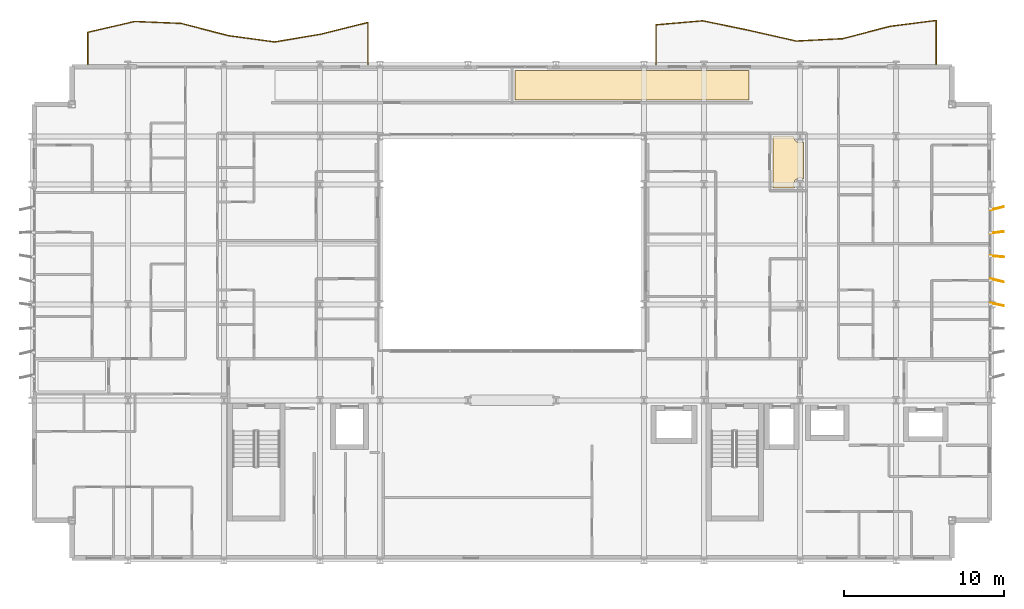
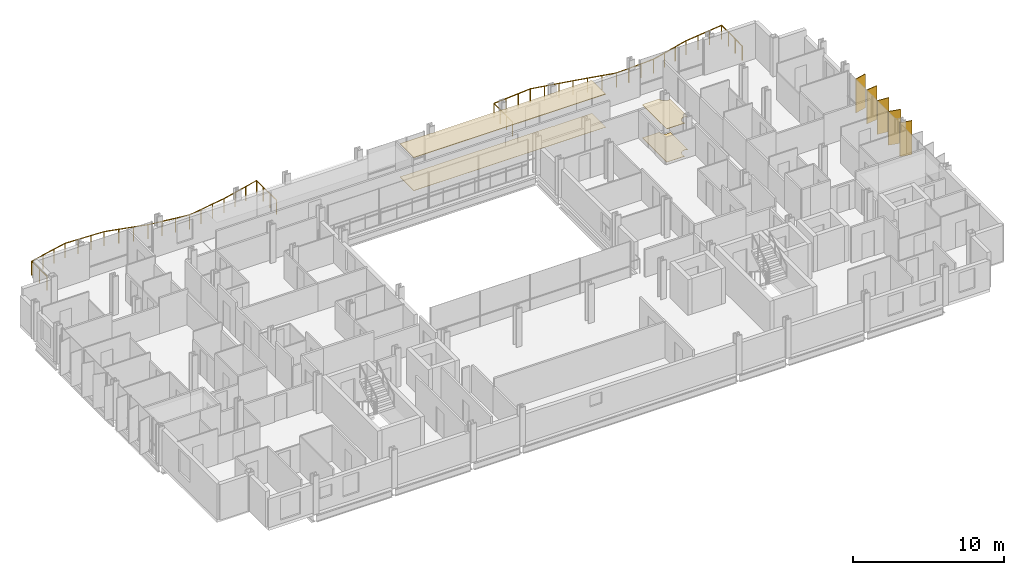
# One storey, part 38 of 38: 5 shading devices, 4 coverings, 2 railings.
"""IFC4 building model written with IfcOpenShell, lengths in metres."""

from ifc_helpers import new_model, si_unit, direction, frame, origin, origin_2d, place, context, subcontext, project, spatial, polyline, rectangle, circle, outline, extrude, material, layer, layer_set, type_object, element, save


model = new_model("IFC4")

# Units and contexts
model_context = context("Model", 3, precision=1e-05, world=origin(), true_north=direction((0.0, 1.0)))
body_context = subcontext(model_context, "Body", "Model", "MODEL_VIEW")
ifc_project = project(units=[si_unit("LENGTHUNIT", "METRE"), si_unit("AREAUNIT", "SQUARE_METRE"), si_unit("VOLUMEUNIT", "CUBIC_METRE"), si_unit("PLANEANGLEUNIT", "RADIAN"), si_unit("MASSUNIT", "GRAM", prefix="KILO")], contexts=[model_context])

# Site, building, storey
site_placement = place(None, origin())
site = spatial("IfcSite", under=ifc_project, at=site_placement, CompositionType="ELEMENT")
building_placement = place(site_placement, origin())
building = spatial("IfcBuilding", under=site, at=building_placement, Name="Brevholm Reach", CompositionType="ELEMENT")
storey_placement = place(building_placement, frame((0.0, 0.0, 46.60009765625)))
storey = spatial("IfcBuildingStorey", under=building, at=storey_placement, Name="L12", CompositionType="ELEMENT", Elevation=46.60009765625)

# Coverings
ifc_material_1 = material(Name="Perforated Mineral-Fibre Class-A Acoustic Suspended Ceiling", Category="gypsum")
ifc_layer_1 = layer(ifc_material_1, 0.044921875)
ifc_layer_set_1 = layer_set([ifc_layer_1], Name="Perforated Mineral-Fibre Class-A Acoustic Suspended Ceiling")
covering_type_1 = type_object("IfcCoveringType", Name="COV-CLG-AC", PredefinedType="CEILING", material=ifc_layer_set_1)
covering_1_placement = place(storey_placement, frame((0.0, 0.0, 2.65478515625)))
element("IfcCovering", 1, at=covering_1_placement, inside=storey, type_object=covering_type_1, Name="L12 Suspended Ceiling L12-76", PredefinedType="CEILING", context=body_context, shape_type="SweptSolid", body=[
    extrude(outline(polyline([(32.626220703125, 30.6201171875), (32.6337890625, 30.6171875), (32.672119140625, 30.607666015625), (32.710693359375, 30.601806640625), (32.75, 30.60009765625), (32.789306640625, 30.601806640625), (32.827880859375, 30.607666015625), (32.8662109375, 30.6171875), (32.873779296875, 30.6201171875), (38.126220703125, 30.6201171875), (38.1337890625, 30.6171875), (38.172119140625, 30.607666015625), (38.210693359375, 30.601806640625), (38.25, 30.60009765625), (38.289306640625, 30.601806640625), (38.327880859375, 30.607666015625), (38.3662109375, 30.6171875), (38.373779296875, 30.6201171875), (41.876220703125, 30.6201171875), (41.8837890625, 30.6171875), (41.922119140625, 30.607666015625), (41.960693359375, 30.601806640625), (42.0, 30.60009765625), (42.039306640625, 30.601806640625), (42.077880859375, 30.607666015625), (42.1162109375, 30.6171875), (42.123779296875, 30.6201171875), (44.820068359375, 30.6201171875), (44.820068359375, 28.783935546875), (30.18408203125, 28.783935546875), (30.18408203125, 30.6201171875), (32.626220703125, 30.6201171875)])), origin(), (0.0, 0.0, 1.0), 0.045166015625),
])
ifc_material_2 = material(Name="Moisture-Resistant Skimmed Gypsum Plasterboard Ceiling", Category="gypsum")
ifc_layer_2 = layer(ifc_material_2, 0.030029296875)
ifc_layer_set_2 = layer_set([ifc_layer_2], Name="Moisture-Resistant Skimmed Gypsum Plasterboard Ceiling")
covering_type_2 = type_object("IfcCoveringType", Name="COV-CLG-GYP", PredefinedType="CEILING", material=ifc_layer_set_2)
covering_2_placement = place(storey_placement, frame((0.0, 0.0, 2.669921875)))
element("IfcCovering", 2, at=covering_2_placement, inside=storey, type_object=covering_type_2, Name="L12 Suspended Ceiling L12-60", PredefinedType="CEILING", context=body_context, shape_type="SweptSolid", body=[
    extrude(outline(polyline([(46.2919921875, 26.51611328125), (47.600830078125, 26.51611328125), (47.60009765625, 26.5), (47.601806640625, 26.460693359375), (47.607666015625, 26.422119140625), (47.6171875, 26.3837890625), (47.63037109375, 26.346923828125), (47.647216796875, 26.311279296875), (47.66748046875, 26.27783203125), (47.69091796875, 26.24609375), (47.71728515625, 26.21728515625), (47.74609375, 26.19091796875), (47.77783203125, 26.16748046875), (47.811279296875, 26.147216796875), (47.846923828125, 26.13037109375), (47.8837890625, 26.1171875), (47.922119140625, 26.107666015625), (47.960693359375, 26.101806640625), (48.0, 26.10009765625), (48.039306640625, 26.101806640625), (48.077880859375, 26.107666015625), (48.1162109375, 26.1171875), (48.153076171875, 26.13037109375), (48.188720703125, 26.147216796875), (48.216064453125, 26.163818359375), (48.216064453125, 23.836181640625), (48.188720703125, 23.852783203125), (48.153076171875, 23.86962890625), (48.1162109375, 23.8828125), (48.077880859375, 23.892333984375), (48.039306640625, 23.898193359375), (48.0, 23.89990234375), (47.960693359375, 23.898193359375), (47.922119140625, 23.892333984375), (47.8837890625, 23.8828125), (47.846923828125, 23.86962890625), (47.811279296875, 23.852783203125), (47.77783203125, 23.83251953125), (47.74609375, 23.80908203125), (47.71728515625, 23.78271484375), (47.69091796875, 23.75390625), (47.66748046875, 23.72216796875), (47.647216796875, 23.688720703125), (47.63037109375, 23.653076171875), (47.6171875, 23.6162109375), (47.607666015625, 23.577880859375), (47.601806640625, 23.539306640625), (47.60009765625, 23.5), (47.601806640625, 23.460693359375), (47.607666015625, 23.422119140625), (47.6171875, 23.3837890625), (47.63037109375, 23.346923828125), (47.647216796875, 23.311279296875), (47.666015625, 23.280029296875), (46.2919921875, 23.280029296875), (46.2919921875, 26.51611328125)])), origin(), (0.0, 0.0, 1.0), 0.030029296875),
])
ifc_material_3 = material(Name="Engineered European Oak Acoustic Plank Flooring", Category="timber")
ifc_layer_3 = layer(ifc_material_3, 0.02197265625)
ifc_layer_set_3 = layer_set([ifc_layer_3], Name="Engineered European Oak Acoustic Plank Flooring")
covering_type_3 = type_object("IfcCoveringType", Name="COV-FLR-OAK", PredefinedType="FLOORING", material=ifc_layer_set_3)
covering_3_placement = place(storey_placement, origin())
element("IfcCovering", 3, at=covering_3_placement, inside=storey, type_object=covering_type_3, Name="L12 Floor Finish L12-60", PredefinedType="FLOORING", context=body_context, shape_type="SweptSolid", body=[
    extrude(outline(polyline([(46.2919921875, 26.51611328125), (47.600830078125, 26.51611328125), (47.60009765625, 26.5), (47.601806640625, 26.460693359375), (47.607666015625, 26.422119140625), (47.6171875, 26.3837890625), (47.63037109375, 26.346923828125), (47.647216796875, 26.311279296875), (47.66748046875, 26.27783203125), (47.69091796875, 26.24609375), (47.71728515625, 26.21728515625), (47.74609375, 26.19091796875), (47.77783203125, 26.16748046875), (47.811279296875, 26.147216796875), (47.846923828125, 26.13037109375), (47.8837890625, 26.1171875), (47.922119140625, 26.107666015625), (47.960693359375, 26.101806640625), (48.0, 26.10009765625), (48.039306640625, 26.101806640625), (48.077880859375, 26.107666015625), (48.1162109375, 26.1171875), (48.153076171875, 26.13037109375), (48.188720703125, 26.147216796875), (48.216064453125, 26.163818359375), (48.216064453125, 23.836181640625), (48.188720703125, 23.852783203125), (48.153076171875, 23.86962890625), (48.1162109375, 23.8828125), (48.077880859375, 23.892333984375), (48.039306640625, 23.898193359375), (48.0, 23.89990234375), (47.960693359375, 23.898193359375), (47.922119140625, 23.892333984375), (47.8837890625, 23.8828125), (47.846923828125, 23.86962890625), (47.811279296875, 23.852783203125), (47.77783203125, 23.83251953125), (47.74609375, 23.80908203125), (47.71728515625, 23.78271484375), (47.69091796875, 23.75390625), (47.66748046875, 23.72216796875), (47.647216796875, 23.688720703125), (47.63037109375, 23.653076171875), (47.6171875, 23.6162109375), (47.607666015625, 23.577880859375), (47.601806640625, 23.539306640625), (47.60009765625, 23.5), (47.601806640625, 23.460693359375), (47.607666015625, 23.422119140625), (47.6171875, 23.3837890625), (47.63037109375, 23.346923828125), (47.647216796875, 23.311279296875), (47.666015625, 23.280029296875), (46.2919921875, 23.280029296875), (46.2919921875, 26.51611328125)])), origin(), (0.0, 0.0, 1.0), 0.02197265625),
])
covering_4_placement = place(storey_placement, origin())
element("IfcCovering", 4, at=covering_4_placement, inside=storey, type_object=covering_type_3, Name="L12 Floor Finish L12-76", PredefinedType="FLOORING", context=body_context, shape_type="SweptSolid", body=[
    extrude(outline(polyline([(32.626220703125, 30.6201171875), (32.6337890625, 30.6171875), (32.672119140625, 30.607666015625), (32.710693359375, 30.601806640625), (32.75, 30.60009765625), (32.789306640625, 30.601806640625), (32.827880859375, 30.607666015625), (32.8662109375, 30.6171875), (32.873779296875, 30.6201171875), (38.126220703125, 30.6201171875), (38.1337890625, 30.6171875), (38.172119140625, 30.607666015625), (38.210693359375, 30.601806640625), (38.25, 30.60009765625), (38.289306640625, 30.601806640625), (38.327880859375, 30.607666015625), (38.3662109375, 30.6171875), (38.373779296875, 30.6201171875), (41.876220703125, 30.6201171875), (41.8837890625, 30.6171875), (41.922119140625, 30.607666015625), (41.960693359375, 30.601806640625), (42.0, 30.60009765625), (42.039306640625, 30.601806640625), (42.077880859375, 30.607666015625), (42.1162109375, 30.6171875), (42.123779296875, 30.6201171875), (44.820068359375, 30.6201171875), (44.820068359375, 28.783935546875), (30.18408203125, 28.783935546875), (30.18408203125, 30.6201171875), (32.626220703125, 30.6201171875)])), origin(), (0.0, 0.0, 1.0), 0.02197265625),
])

# Railings
ifc_material_4 = material(Name="Brushed Stainless Steel EN 1.4401 and Laminated Glass", Category="steel")
railing_type = type_object("IfcRailingType", Name="RAL-BALC-1150", PredefinedType="BALUSTRADE", material=ifc_material_4)
railing_1_placement = place(storey_placement, frame((56.5, 31.0, 0.0)))
element("IfcRailing", 5, at=railing_1_placement, inside=storey, type_object=railing_type, Name="L12 Guard Balustrade RAL-L12-BAL-NE", PredefinedType="BALUSTRADE", context=body_context, shape_type="SweptSolid", body=[
    extrude(circle(Radius=0.02392578125, at=origin_2d()), frame((0.0, 0.0, 1.1259765625), z_axis=(0.0, 1.0, 0.0), x_axis=(-1.0, 0.0, 0.0)), (0.0, 0.0, 1.0), 2.746337890625),
    extrude(circle(Radius=0.02392578125, at=origin_2d()), frame((0.0, 2.746337890625, 1.1259765625), z_axis=(-0.991815212116, -0.12768157665, 0.0), x_axis=(0.12768157665, -0.991815212116, 0.0)), (0.0, 0.0, 1.0), 2.94091796875),
    extrude(circle(Radius=0.02392578125, at=origin_2d()), frame((-2.916748046875, 2.370849609375, 1.1259765625), z_axis=(-0.967306983138, -0.25360836022, 0.0), x_axis=(0.25360836022, -0.967306983138, 0.0)), (0.0, 0.0, 1.0), 3.01513671875),
    extrude(circle(Radius=0.02392578125, at=origin_2d()), frame((-5.833251953125, 1.606201171875, 1.1259765625), z_axis=(-0.998720239463, -0.050575520622, 0.0), x_axis=(0.050575520622, -0.998720239463, 0.0)), (0.0, 0.0, 1.0), 2.92041015625),
    extrude(circle(Radius=0.02392578125, at=origin_2d()), frame((-8.75, 1.45849609375, 1.1259765625), z_axis=(-0.975083925705, 0.221836286102, 0.0), x_axis=(-0.221836286102, -0.975083925705, 0.0)), (0.0, 0.0, 1.0), 2.9912109375),
    extrude(circle(Radius=0.02392578125, at=origin_2d()), frame((-11.666748046875, 2.1220703125, 1.1259765625), z_axis=(-0.979367411888, 0.202087784221, 0.0), x_axis=(-0.202087784221, -0.979367411888, 0.0)), (0.0, 0.0, 1.0), 2.97802734375),
    extrude(circle(Radius=0.02392578125, at=origin_2d()), frame((-14.583251953125, 2.723876953125, 1.1259765625), z_axis=(-0.996282713287, -0.086143805376, 0.0), x_axis=(0.086143805376, -0.996282713287, 0.0)), (0.0, 0.0, 1.0), 2.927734375),
    extrude(circle(Radius=0.02392578125, at=origin_2d()), frame((-17.5, 2.4716796875, 1.1259765625), z_axis=(0.0, -1.0, 0.0), x_axis=(1.0, 0.0, 0.0)), (0.0, 0.0, 1.0), 2.4716796875),
    extrude(circle(Radius=0.02099609375, at=origin_2d()), origin(), (0.0, 0.0, 1.0), 1.101806640625),
    extrude(circle(Radius=0.02099609375, at=origin_2d()), frame((0.0, 0.91552734375, 0.0)), (0.0, 0.0, 1.0), 1.101806640625),
    extrude(circle(Radius=0.02099609375, at=origin_2d()), frame((0.0, 1.830810546875, 0.0)), (0.0, 0.0, 1.0), 1.101806640625),
    extrude(circle(Radius=0.02099609375, at=origin_2d()), frame((0.0, 2.746337890625, 0.0)), (0.0, 0.0, 1.0), 1.101806640625),
    extrude(circle(Radius=0.02099609375, at=origin_2d()), frame((-0.97216796875, 2.62109375, 0.0)), (0.0, 0.0, 1.0), 1.101806640625),
    extrude(circle(Radius=0.02099609375, at=origin_2d()), frame((-1.944580078125, 2.49609375, 0.0)), (0.0, 0.0, 1.0), 1.101806640625),
    extrude(circle(Radius=0.02099609375, at=origin_2d()), frame((-2.916748046875, 2.370849609375, 0.0)), (0.0, 0.0, 1.0), 1.101806640625),
    extrude(circle(Radius=0.02099609375, at=origin_2d()), frame((-3.888916015625, 2.115966796875, 0.0)), (0.0, 0.0, 1.0), 1.101806640625),
    extrude(circle(Radius=0.02099609375, at=origin_2d()), frame((-4.861083984375, 1.861083984375, 0.0)), (0.0, 0.0, 1.0), 1.101806640625),
    extrude(circle(Radius=0.02099609375, at=origin_2d()), frame((-5.833251953125, 1.606201171875, 0.0)), (0.0, 0.0, 1.0), 1.101806640625),
    extrude(circle(Radius=0.02099609375, at=origin_2d()), frame((-6.805419921875, 1.556884765625, 0.0)), (0.0, 0.0, 1.0), 1.101806640625),
    extrude(circle(Radius=0.02099609375, at=origin_2d()), frame((-7.77783203125, 1.5078125, 0.0)), (0.0, 0.0, 1.0), 1.101806640625),
    extrude(circle(Radius=0.02099609375, at=origin_2d()), frame((-8.75, 1.45849609375, 0.0)), (0.0, 0.0, 1.0), 1.101806640625),
    extrude(circle(Radius=0.02099609375, at=origin_2d()), frame((-9.72216796875, 1.6796875, 0.0)), (0.0, 0.0, 1.0), 1.101806640625),
    extrude(circle(Radius=0.02099609375, at=origin_2d()), frame((-10.694580078125, 1.90087890625, 0.0)), (0.0, 0.0, 1.0), 1.101806640625),
    extrude(circle(Radius=0.02099609375, at=origin_2d()), frame((-11.666748046875, 2.1220703125, 0.0)), (0.0, 0.0, 1.0), 1.101806640625),
    extrude(circle(Radius=0.02099609375, at=origin_2d()), frame((-12.638916015625, 2.32275390625, 0.0)), (0.0, 0.0, 1.0), 1.101806640625),
    extrude(circle(Radius=0.02099609375, at=origin_2d()), frame((-13.611083984375, 2.523193359375, 0.0)), (0.0, 0.0, 1.0), 1.101806640625),
    extrude(circle(Radius=0.02099609375, at=origin_2d()), frame((-14.583251953125, 2.723876953125, 0.0)), (0.0, 0.0, 1.0), 1.101806640625),
    extrude(circle(Radius=0.02099609375, at=origin_2d()), frame((-15.555419921875, 2.639892578125, 0.0)), (0.0, 0.0, 1.0), 1.101806640625),
    extrude(circle(Radius=0.02099609375, at=origin_2d()), frame((-16.52783203125, 2.5556640625, 0.0)), (0.0, 0.0, 1.0), 1.101806640625),
    extrude(circle(Radius=0.02099609375, at=origin_2d()), frame((-17.5, 2.4716796875, 0.0)), (0.0, 0.0, 1.0), 1.101806640625),
    extrude(circle(Radius=0.02099609375, at=origin_2d()), frame((-17.5, 1.647705078125, 0.0)), (0.0, 0.0, 1.0), 1.101806640625),
    extrude(circle(Radius=0.02099609375, at=origin_2d()), frame((-17.5, 0.823974609375, 0.0)), (0.0, 0.0, 1.0), 1.101806640625),
    extrude(circle(Radius=0.02099609375, at=origin_2d()), frame((-17.5, 0.0, 0.0)), (0.0, 0.0, 1.0), 1.101806640625),
])
railing_2_placement = place(storey_placement, frame((21.0, 31.0, 0.0)))
element("IfcRailing", 6, at=railing_2_placement, inside=storey, type_object=railing_type, Name="L12 Guard Balustrade RAL-L12-BAL-NW", PredefinedType="BALUSTRADE", context=body_context, shape_type="SweptSolid", body=[
    extrude(circle(Radius=0.02392578125, at=origin_2d()), frame((0.0, 0.0, 1.1259765625), z_axis=(0.0, 1.0, 0.0), x_axis=(-1.0, 0.0, 0.0)), (0.0, 0.0, 1.0), 2.62109375),
    extrude(circle(Radius=0.02392578125, at=origin_2d()), frame((0.0, 2.62109375, 1.1259765625), z_axis=(-0.969908046993, -0.243471518618, 0.0), x_axis=(0.243471518618, -0.969908046993, 0.0)), (0.0, 0.0, 1.0), 3.00732421875),
    extrude(circle(Radius=0.02392578125, at=origin_2d()), frame((-2.916748046875, 1.888916015625, 1.1259765625), z_axis=(-0.986326897089, -0.164800643445, 0.0), x_axis=(0.164800643445, -0.986326897089, 0.0)), (0.0, 0.0, 1.0), 2.95703125),
    extrude(circle(Radius=0.02392578125, at=origin_2d()), frame((-5.833251953125, 1.401611328125, 1.1259765625), z_axis=(-0.990776091279, 0.135509176626, 0.0), x_axis=(-0.135509176626, -0.990776091279, 0.0)), (0.0, 0.0, 1.0), 2.94384765625),
    extrude(circle(Radius=0.02392578125, at=origin_2d()), frame((-8.75, 1.800537109375, 1.1259765625), z_axis=(-0.967688627029, 0.252148212601, 0.0), x_axis=(-0.252148212601, -0.967688627029, 0.0)), (0.0, 0.0, 1.0), 3.01416015625),
    extrude(circle(Radius=0.02392578125, at=origin_2d()), frame((-11.666748046875, 2.560546875, 1.1259765625), z_axis=(-0.999139150441, 0.041484431493, 0.0), x_axis=(-0.041484431493, -0.999139150441, 0.0)), (0.0, 0.0, 1.0), 2.9189453125),
    extrude(circle(Radius=0.02392578125, at=origin_2d()), frame((-14.583251953125, 2.681640625, 1.1259765625), z_axis=(-0.974086615793, -0.226175296912, 0.0), x_axis=(0.226175296912, -0.974086615793, 0.0)), (0.0, 0.0, 1.0), 2.994384765625),
    extrude(circle(Radius=0.02392578125, at=origin_2d()), frame((-17.5, 2.00439453125, 1.1259765625), z_axis=(0.0, -1.0, 0.0), x_axis=(1.0, 0.0, 0.0)), (0.0, 0.0, 1.0), 2.00439453125),
    extrude(circle(Radius=0.02099609375, at=origin_2d()), origin(), (0.0, 0.0, 1.0), 1.101806640625),
    extrude(circle(Radius=0.02099609375, at=origin_2d()), frame((0.0, 0.873779296875, 0.0)), (0.0, 0.0, 1.0), 1.101806640625),
    extrude(circle(Radius=0.02099609375, at=origin_2d()), frame((0.0, 1.747314453125, 0.0)), (0.0, 0.0, 1.0), 1.101806640625),
    extrude(circle(Radius=0.02099609375, at=origin_2d()), frame((0.0, 2.62109375, 0.0)), (0.0, 0.0, 1.0), 1.101806640625),
    extrude(circle(Radius=0.02099609375, at=origin_2d()), frame((-0.97216796875, 2.376953125, 0.0)), (0.0, 0.0, 1.0), 1.101806640625),
    extrude(circle(Radius=0.02099609375, at=origin_2d()), frame((-1.944580078125, 2.133056640625, 0.0)), (0.0, 0.0, 1.0), 1.101806640625),
    extrude(circle(Radius=0.02099609375, at=origin_2d()), frame((-2.916748046875, 1.888916015625, 0.0)), (0.0, 0.0, 1.0), 1.101806640625),
    extrude(circle(Radius=0.02099609375, at=origin_2d()), frame((-3.888916015625, 1.7265625, 0.0)), (0.0, 0.0, 1.0), 1.101806640625),
    extrude(circle(Radius=0.02099609375, at=origin_2d()), frame((-4.861083984375, 1.56396484375, 0.0)), (0.0, 0.0, 1.0), 1.101806640625),
    extrude(circle(Radius=0.02099609375, at=origin_2d()), frame((-5.833251953125, 1.401611328125, 0.0)), (0.0, 0.0, 1.0), 1.101806640625),
    extrude(circle(Radius=0.02099609375, at=origin_2d()), frame((-6.805419921875, 1.53466796875, 0.0)), (0.0, 0.0, 1.0), 1.101806640625),
    extrude(circle(Radius=0.02099609375, at=origin_2d()), frame((-7.77783203125, 1.66748046875, 0.0)), (0.0, 0.0, 1.0), 1.101806640625),
    extrude(circle(Radius=0.02099609375, at=origin_2d()), frame((-8.75, 1.800537109375, 0.0)), (0.0, 0.0, 1.0), 1.101806640625),
    extrude(circle(Radius=0.02099609375, at=origin_2d()), frame((-9.72216796875, 2.053955078125, 0.0)), (0.0, 0.0, 1.0), 1.101806640625),
    extrude(circle(Radius=0.02099609375, at=origin_2d()), frame((-10.694580078125, 2.30712890625, 0.0)), (0.0, 0.0, 1.0), 1.101806640625),
    extrude(circle(Radius=0.02099609375, at=origin_2d()), frame((-11.666748046875, 2.560546875, 0.0)), (0.0, 0.0, 1.0), 1.101806640625),
    extrude(circle(Radius=0.02099609375, at=origin_2d()), frame((-12.638916015625, 2.600830078125, 0.0)), (0.0, 0.0, 1.0), 1.101806640625),
    extrude(circle(Radius=0.02099609375, at=origin_2d()), frame((-13.611083984375, 2.641357421875, 0.0)), (0.0, 0.0, 1.0), 1.101806640625),
    extrude(circle(Radius=0.02099609375, at=origin_2d()), frame((-14.583251953125, 2.681640625, 0.0)), (0.0, 0.0, 1.0), 1.101806640625),
    extrude(circle(Radius=0.02099609375, at=origin_2d()), frame((-15.555419921875, 2.455810546875, 0.0)), (0.0, 0.0, 1.0), 1.101806640625),
    extrude(circle(Radius=0.02099609375, at=origin_2d()), frame((-16.52783203125, 2.230224609375, 0.0)), (0.0, 0.0, 1.0), 1.101806640625),
    extrude(circle(Radius=0.02099609375, at=origin_2d()), frame((-17.5, 2.00439453125, 0.0)), (0.0, 0.0, 1.0), 1.101806640625),
    extrude(circle(Radius=0.02099609375, at=origin_2d()), frame((-17.5, 1.002197265625, 0.0)), (0.0, 0.0, 1.0), 1.101806640625),
    extrude(circle(Radius=0.02099609375, at=origin_2d()), frame((-17.5, 0.0, 0.0)), (0.0, 0.0, 1.0), 1.101806640625),
])

# Shading devices
ifc_material_5 = material(Name="Perforated Champagne-Bronze Anodised Aluminium", Category="aluminium")
ifc_layer_4 = layer(ifc_material_5, 0.054931640625)
ifc_layer_set_4 = layer_set([ifc_layer_4], Name="Perforated Champagne-Bronze Anodised Aluminium")
shading_device_type = type_object("IfcShadingDeviceType", Name="SHD-FIN-850", PredefinedType="USERDEFINED", material=ifc_layer_set_4)
for number, where, z_axis, x_axis, name in (
    (7, (60.31494140625, 16.0, 0.06982421875), (0.0, 0.0, 1.0), (0.980042839394, -0.198786400323, 0.0), "L12 Perforated Solar Screen Fin 4"),
    (8, (60.31494140625, 17.5, 0.06982421875), (0.0, 0.0, 1.0), (0.97265440195, -0.232257215962, 0.0), "L12 Perforated Solar Screen Fin 5"),
    (9, (60.31494140625, 19.0, 0.06982421875), (0.0, 0.0, 1.0), (0.995755274682, -0.09204038756, 0.0), "L12 Perforated Solar Screen Fin 6"),
    (10, (60.31494140625, 20.5, 0.06982421875), (0.0, 0.0, 1.0), (0.9928742876, 0.119166476087, 0.0), "L12 Perforated Solar Screen Fin 7"),
    (11, (60.31494140625, 22.0, 0.06982421875), (0.0, 0.0, 1.0), (0.971067630938, 0.238804640125, 0.0), "L12 Perforated Solar Screen Fin 8"),
):
    element("IfcShadingDevice", number, at=place(storey_placement, frame(where, z_axis=z_axis, x_axis=x_axis)), inside=storey, type_object=shading_device_type, Name=name, ObjectType="SCREEN", PredefinedType="USERDEFINED", context=body_context, shape_type="SweptSolid", body=[
        extrude(rectangle(XDim=0.85009765625, YDim=0.054931640625, at=origin_2d()), origin(), (0.0, 0.0, 1.0), 2.72998046875),
    ])

save(model, "model.ifc")
